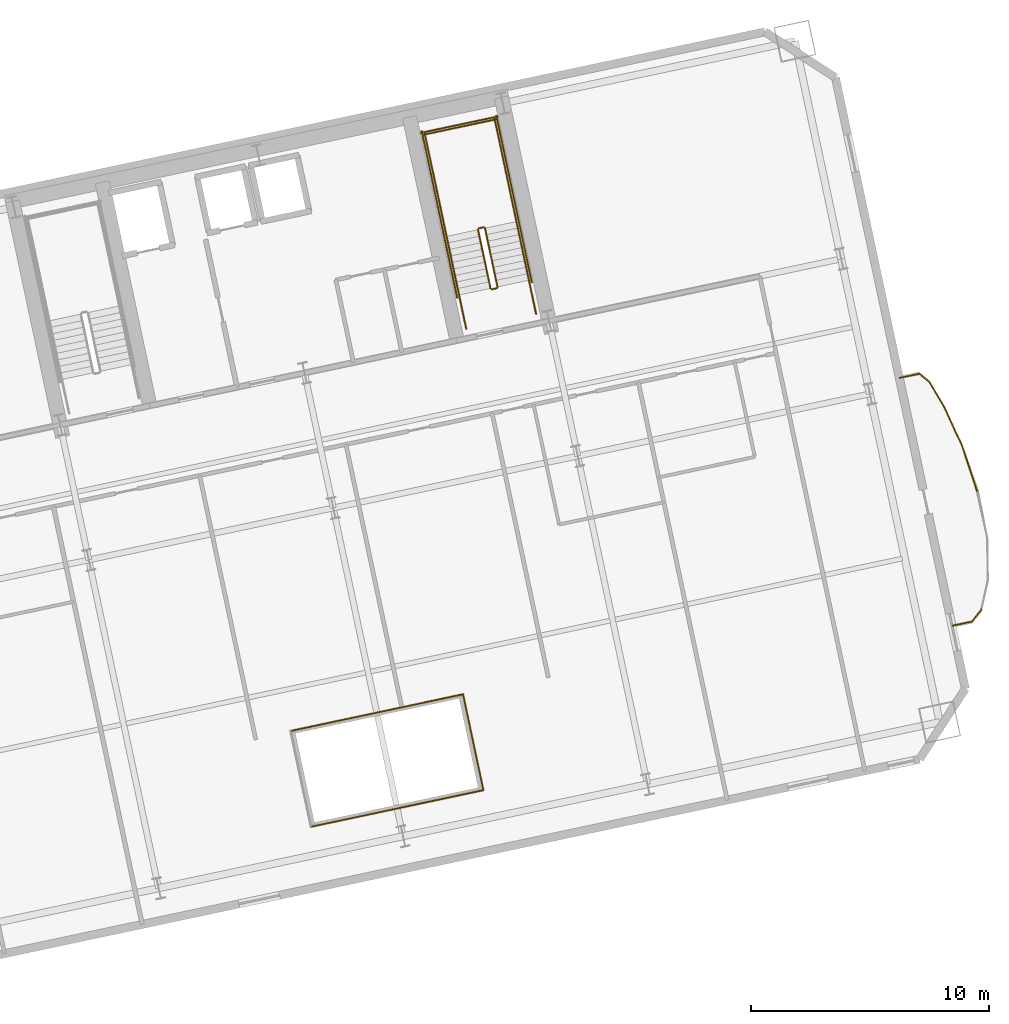
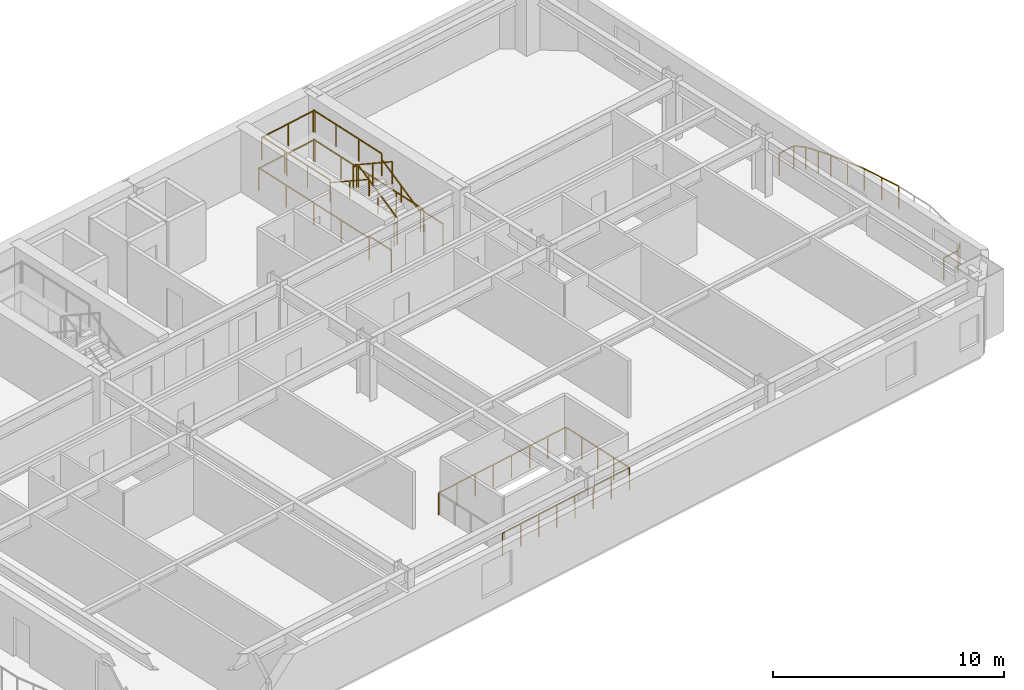
# One storey, part 15 of 16: 24 railings.
"""IFC4 building model written with IfcOpenShell, lengths in metres."""

from ifc_helpers import new_model, si_unit, direction, frame, origin, origin_2d, place, context, subcontext, project, spatial, rectangle, extrude, material, type_object, element, save


model = new_model("IFC4")

# Units and contexts
model_context = context("Model", 3, precision=1e-05, world=origin(), true_north=direction((0.0, 1.0)))
body_context = subcontext(model_context, "Body", "Model", "MODEL_VIEW")
ifc_project = project(units=[si_unit("LENGTHUNIT", "METRE"), si_unit("AREAUNIT", "SQUARE_METRE"), si_unit("VOLUMEUNIT", "CUBIC_METRE"), si_unit("PLANEANGLEUNIT", "RADIAN"), si_unit("MASSUNIT", "GRAM", prefix="KILO")], contexts=[model_context])

# Site, building, storey
site_placement = place(None, origin())
site = spatial("IfcSite", under=ifc_project, at=site_placement, CompositionType="ELEMENT")
building_placement = place(site_placement, origin())
building = spatial("IfcBuilding", under=site, at=building_placement, Name="Haevon Station Towers", CompositionType="ELEMENT")
storey_placement = place(building_placement, frame((0.0, 0.0, 53.699951171875)))
storey = spatial("IfcBuildingStorey", under=building, at=storey_placement, Name="L13", CompositionType="ELEMENT", Elevation=53.699951171875)

# Railings
ifc_material = material(Name="Steel S355", Category="steel")
railing_type_1 = type_object("IfcRailingType", Name="BAL-ATR1200", PredefinedType="BALUSTRADE", material=ifc_material)
railing_1_placement = place(storey_placement, frame((109.28857421875, 20.5556640625, 0.0)))
element("IfcRailing", 1, at=railing_1_placement, inside=storey, type_object=railing_type_1, Name="L13 Atrium Void Balustrade 1", PredefinedType="BALUSTRADE", context=body_context, shape_type="SweptSolid", body=[
    extrude(rectangle(XDim=0.048095703125, YDim=0.048095703125, at=origin_2d()), frame((0.0, 0.0, 1.17578125), z_axis=(0.978143440909, 0.207931260293, 0.0), x_axis=(-0.207931260293, 0.978143440909, 0.0)), (0.0, 0.0, 1.0), 7.409912109375),
    extrude(rectangle(XDim=0.0419921875, YDim=0.0419921875, at=origin_2d()), origin(), (0.0, 0.0, 1.0), 1.15185546875),
    extrude(rectangle(XDim=0.0419921875, YDim=0.0419921875, at=origin_2d()), frame((1.035400390625, 0.22021484375, 0.0)), (0.0, 0.0, 1.0), 1.15185546875),
    extrude(rectangle(XDim=0.0419921875, YDim=0.0419921875, at=origin_2d()), frame((2.07080078125, 0.440185546875, 0.0)), (0.0, 0.0, 1.0), 1.15185546875),
    extrude(rectangle(XDim=0.0419921875, YDim=0.0419921875, at=origin_2d()), frame((3.106201171875, 0.660400390625, 0.0)), (0.0, 0.0, 1.0), 1.15185546875),
    extrude(rectangle(XDim=0.0419921875, YDim=0.0419921875, at=origin_2d()), frame((4.141845703125, 0.88037109375, 0.0)), (0.0, 0.0, 1.0), 1.15185546875),
    extrude(rectangle(XDim=0.0419921875, YDim=0.0419921875, at=origin_2d()), frame((5.17724609375, 1.1005859375, 0.0)), (0.0, 0.0, 1.0), 1.15185546875),
    extrude(rectangle(XDim=0.0419921875, YDim=0.0419921875, at=origin_2d()), frame((6.212646484375, 1.320556640625, 0.0)), (0.0, 0.0, 1.0), 1.15185546875),
    extrude(rectangle(XDim=0.0419921875, YDim=0.0419921875, at=origin_2d()), frame((7.248046875, 1.540771484375, 0.0)), (0.0, 0.0, 1.0), 1.15185546875),
])
railing_2_placement = place(storey_placement, frame((116.53662109375, 22.096435546875, 0.0)))
element("IfcRailing", 2, at=railing_2_placement, inside=storey, type_object=railing_type_1, Name="L13 Atrium Void Balustrade 2", PredefinedType="BALUSTRADE", context=body_context, shape_type="SweptSolid", body=[
    extrude(rectangle(XDim=0.048095703125, YDim=0.048095703125, at=origin_2d()), frame((0.0, 0.0, 1.17578125), z_axis=(-0.207941039024, 0.97814136212, 0.0), x_axis=(-0.97814136212, -0.207941039024, 0.0)), (0.0, 0.0, 1.0), 4.116455078125),
    extrude(rectangle(XDim=0.0419921875, YDim=0.0419921875, at=origin_2d()), origin(), (0.0, 0.0, 1.0), 1.15185546875),
    extrude(rectangle(XDim=0.0419921875, YDim=0.0419921875, at=origin_2d()), frame((-0.2138671875, 1.006591796875, 0.0)), (0.0, 0.0, 1.0), 1.15185546875),
    extrude(rectangle(XDim=0.0419921875, YDim=0.0419921875, at=origin_2d()), frame((-0.427978515625, 2.01318359375, 0.0)), (0.0, 0.0, 1.0), 1.15185546875),
    extrude(rectangle(XDim=0.0419921875, YDim=0.0419921875, at=origin_2d()), frame((-0.64208984375, 3.019775390625, 0.0)), (0.0, 0.0, 1.0), 1.15185546875),
    extrude(rectangle(XDim=0.0419921875, YDim=0.0419921875, at=origin_2d()), frame((-0.85595703125, 4.0263671875, 0.0)), (0.0, 0.0, 1.0), 1.15185546875),
])
railing_3_placement = place(storey_placement, frame((115.6806640625, 26.122802734375, 0.0)))
element("IfcRailing", 3, at=railing_3_placement, inside=storey, type_object=railing_type_1, Name="L13 Atrium Void Balustrade 3", PredefinedType="BALUSTRADE", context=body_context, shape_type="SweptSolid", body=[
    extrude(rectangle(XDim=0.048095703125, YDim=0.048095703125, at=origin_2d()), frame((0.0, 0.0, 1.17578125), z_axis=(-0.978148717371, -0.207906437384, 0.0), x_axis=(0.207906437384, -0.978148717371, 0.0)), (0.0, 0.0, 1.0), 7.40966796875),
    extrude(rectangle(XDim=0.0419921875, YDim=0.0419921875, at=origin_2d()), origin(), (0.0, 0.0, 1.0), 1.15185546875),
    extrude(rectangle(XDim=0.0419921875, YDim=0.0419921875, at=origin_2d()), frame((-1.035400390625, -0.219970703125, 0.0)), (0.0, 0.0, 1.0), 1.15185546875),
    extrude(rectangle(XDim=0.0419921875, YDim=0.0419921875, at=origin_2d()), frame((-2.07080078125, -0.440185546875, 0.0)), (0.0, 0.0, 1.0), 1.15185546875),
    extrude(rectangle(XDim=0.0419921875, YDim=0.0419921875, at=origin_2d()), frame((-3.106201171875, -0.66015625, 0.0)), (0.0, 0.0, 1.0), 1.15185546875),
    extrude(rectangle(XDim=0.0419921875, YDim=0.0419921875, at=origin_2d()), frame((-4.1416015625, -0.88037109375, 0.0)), (0.0, 0.0, 1.0), 1.15185546875),
    extrude(rectangle(XDim=0.0419921875, YDim=0.0419921875, at=origin_2d()), frame((-5.177001953125, -1.100341796875, 0.0)), (0.0, 0.0, 1.0), 1.15185546875),
    extrude(rectangle(XDim=0.0419921875, YDim=0.0419921875, at=origin_2d()), frame((-6.21240234375, -1.320556640625, 0.0)), (0.0, 0.0, 1.0), 1.15185546875),
    extrude(rectangle(XDim=0.0419921875, YDim=0.0419921875, at=origin_2d()), frame((-7.247802734375, -1.54052734375, 0.0)), (0.0, 0.0, 1.0), 1.15185546875),
])
railing_type_2 = type_object("IfcRailingType", Name="GRD-EXT1200", PredefinedType="GUARDRAIL", material=ifc_material)
railing_4_placement = place(storey_placement, frame((136.249267578125, 29.0068359375, 0.0)))
element("IfcRailing", 4, at=railing_4_placement, inside=storey, type_object=railing_type_2, Name="L13 Perimeter Guardrail 1", PredefinedType="GUARDRAIL", context=body_context, shape_type="SweptSolid", body=[
    extrude(rectangle(XDim=0.048095703125, YDim=0.048095703125, at=origin_2d()), frame((0.0, 0.0, 1.17578125), z_axis=(0.97761867619, 0.210384704682, 0.0), x_axis=(-0.210384704682, 0.97761867619, 0.0)), (0.0, 0.0, 1.0), 0.837890625),
    extrude(rectangle(XDim=0.0419921875, YDim=0.0419921875, at=origin_2d()), origin(), (0.0, 0.0, 1.0), 1.15185546875),
    extrude(rectangle(XDim=0.0419921875, YDim=0.0419921875, at=origin_2d()), frame((0.819091796875, 0.17626953125, 0.0)), (0.0, 0.0, 1.0), 1.15185546875),
])
railing_5_placement = place(storey_placement, frame((137.068359375, 29.18310546875, 0.0)))
element("IfcRailing", 5, at=railing_5_placement, inside=storey, type_object=railing_type_2, Name="L13 Perimeter Guardrail 2", PredefinedType="GUARDRAIL", context=body_context, shape_type="SweptSolid", body=[
    extrude(rectangle(XDim=0.048095703125, YDim=0.048095703125, at=origin_2d()), frame((0.0, 0.0, 1.17578125), z_axis=(0.616287695395, 0.787521095911, 0.0), x_axis=(-0.787521095911, 0.616287695395, 0.0)), (0.0, 0.0, 1.0), 0.64013671875),
    extrude(rectangle(XDim=0.0419921875, YDim=0.0419921875, at=origin_2d()), origin(), (0.0, 0.0, 1.0), 1.15185546875),
    extrude(rectangle(XDim=0.0419921875, YDim=0.0419921875, at=origin_2d()), frame((0.39453125, 0.504150390625, 0.0)), (0.0, 0.0, 1.0), 1.15185546875),
])
railing_6_placement = place(storey_placement, frame((137.27587890625, 34.666259765625, 0.0)))
element("IfcRailing", 6, at=railing_6_placement, inside=storey, type_object=railing_type_2, Name="L13 Perimeter Guardrail 6", PredefinedType="GUARDRAIL", context=body_context, shape_type="SweptSolid", body=[
    extrude(rectangle(XDim=0.048095703125, YDim=0.048095703125, at=origin_2d()), frame((0.0, 0.0, 1.17578125), z_axis=(-0.313300498746, 0.949654040946, 0.0), x_axis=(-0.949654040946, -0.313300498746, 0.0)), (0.0, 0.0, 1.0), 2.002685546875),
    extrude(rectangle(XDim=0.0419921875, YDim=0.0419921875, at=origin_2d()), origin(), (0.0, 0.0, 1.0), 1.15185546875),
    extrude(rectangle(XDim=0.0419921875, YDim=0.0419921875, at=origin_2d()), frame((-0.313720703125, 0.950927734375, 0.0)), (0.0, 0.0, 1.0), 1.15185546875),
    extrude(rectangle(XDim=0.0419921875, YDim=0.0419921875, at=origin_2d()), frame((-0.62744140625, 1.90185546875, 0.0)), (0.0, 0.0, 1.0), 1.15185546875),
])
railing_7_placement = place(storey_placement, frame((136.6484375, 36.568115234375, 0.0)))
element("IfcRailing", 7, at=railing_7_placement, inside=storey, type_object=railing_type_2, Name="L13 Perimeter Guardrail 7", PredefinedType="GUARDRAIL", context=body_context, shape_type="SweptSolid", body=[
    extrude(rectangle(XDim=0.048095703125, YDim=0.048095703125, at=origin_2d()), frame((0.0, 0.0, 1.17578125), z_axis=(-0.417424139603, 0.908711773709, 0.0), x_axis=(-0.908711773709, -0.417424139603, 0.0)), (0.0, 0.0, 1.0), 1.79150390625),
    extrude(rectangle(XDim=0.0419921875, YDim=0.0419921875, at=origin_2d()), origin(), (0.0, 0.0, 1.0), 1.15185546875),
    extrude(rectangle(XDim=0.0419921875, YDim=0.0419921875, at=origin_2d()), frame((-0.3740234375, 0.81396484375, 0.0)), (0.0, 0.0, 1.0), 1.15185546875),
    extrude(rectangle(XDim=0.0419921875, YDim=0.0419921875, at=origin_2d()), frame((-0.747802734375, 1.6279296875, 0.0)), (0.0, 0.0, 1.0), 1.15185546875),
])
railing_8_placement = place(storey_placement, frame((135.900634765625, 38.196044921875, 0.0)))
element("IfcRailing", 8, at=railing_8_placement, inside=storey, type_object=railing_type_2, Name="L13 Perimeter Guardrail 8", PredefinedType="GUARDRAIL", context=body_context, shape_type="SweptSolid", body=[
    extrude(rectangle(XDim=0.048095703125, YDim=0.048095703125, at=origin_2d()), frame((0.0, 0.0, 1.17578125), z_axis=(-0.513886177927, 0.857858377668, 0.0), x_axis=(-0.857858377668, -0.513886177927, 0.0)), (0.0, 0.0, 1.0), 1.237060546875),
    extrude(rectangle(XDim=0.0419921875, YDim=0.0419921875, at=origin_2d()), origin(), (0.0, 0.0, 1.0), 1.15185546875),
    extrude(rectangle(XDim=0.0419921875, YDim=0.0419921875, at=origin_2d()), frame((-0.31787109375, 0.53076171875, 0.0)), (0.0, 0.0, 1.0), 1.15185546875),
    extrude(rectangle(XDim=0.0419921875, YDim=0.0419921875, at=origin_2d()), frame((-0.6357421875, 1.061279296875, 0.0)), (0.0, 0.0, 1.0), 1.15185546875),
])
railing_9_placement = place(storey_placement, frame((135.264892578125, 39.25732421875, 0.0)))
element("IfcRailing", 9, at=railing_9_placement, inside=storey, type_object=railing_type_2, Name="L13 Perimeter Guardrail 9", PredefinedType="GUARDRAIL", context=body_context, shape_type="SweptSolid", body=[
    extrude(rectangle(XDim=0.048095703125, YDim=0.048095703125, at=origin_2d()), frame((0.0, 0.0, 1.17578125), z_axis=(-0.774554795465, 0.632506813262, 0.0), x_axis=(-0.632506813262, -0.774554795465, 0.0)), (0.0, 0.0, 1.0), 0.527587890625),
    extrude(rectangle(XDim=0.0419921875, YDim=0.0419921875, at=origin_2d()), origin(), (0.0, 0.0, 1.0), 1.15185546875),
    extrude(rectangle(XDim=0.0419921875, YDim=0.0419921875, at=origin_2d()), frame((-0.40869140625, 0.333740234375, 0.0)), (0.0, 0.0, 1.0), 1.15185546875),
])
railing_10_placement = place(storey_placement, frame((134.856201171875, 39.591064453125, 0.0)))
element("IfcRailing", 10, at=railing_10_placement, inside=storey, type_object=railing_type_2, Name="L13 Perimeter Guardrail 10", PredefinedType="GUARDRAIL", context=body_context, shape_type="SweptSolid", body=[
    extrude(rectangle(XDim=0.048095703125, YDim=0.048095703125, at=origin_2d()), frame((0.0, 0.0, 1.17578125), z_axis=(-0.978617737227, -0.20568744343, 0.0), x_axis=(0.20568744343, -0.978617737227, 0.0)), (0.0, 0.0, 1.0), 0.837890625),
    extrude(rectangle(XDim=0.0419921875, YDim=0.0419921875, at=origin_2d()), origin(), (0.0, 0.0, 1.0), 1.15185546875),
    extrude(rectangle(XDim=0.0419921875, YDim=0.0419921875, at=origin_2d()), frame((-0.820068359375, -0.17236328125, 0.0)), (0.0, 0.0, 1.0), 1.15185546875),
])
railing_type_3 = type_object("IfcRailingType", Name="GRD-STR1200", PredefinedType="GUARDRAIL", material=ifc_material)
railing_11_placement = place(storey_placement, frame((117.128662109375, 43.23974609375, 0.1650390625)))
element("IfcRailing", 11, at=railing_11_placement, inside=storey, type_object=railing_type_3, Name="L13 ST4 Stair Guard 1", PredefinedType="GUARDRAIL", context=body_context, shape_type="SweptSolid", body=[
    extrude(rectangle(XDim=0.048095703125, YDim=0.048095703125, at=origin_2d()), frame((0.0, 0.0, 1.17578125), z_axis=(-0.179121265225, 0.842687928106, 0.507732831485), x_axis=(-0.978147030254, -0.207914374695, 0.0)), (0.0, 0.0, 1.0), 2.925048828125),
    extrude(rectangle(XDim=0.0419921875, YDim=0.0419921875, at=origin_2d()), origin(), (0.0, 0.0, 1.0), 1.15185546875),
    extrude(rectangle(XDim=0.0419921875, YDim=0.0419921875, at=origin_2d()), frame((-0.261962890625, 1.232421875, 0.74267578125)), (0.0, 0.0, 1.0), 1.15185546875),
    extrude(rectangle(XDim=0.0419921875, YDim=0.0419921875, at=origin_2d()), frame((-0.52392578125, 2.46484375, 1.485107421875)), (0.0, 0.0, 1.0), 1.15185546875),
])
railing_12_placement = place(storey_placement, frame((116.54541015625, 45.7431640625, 1.650146484375)))
element("IfcRailing", 12, at=railing_12_placement, inside=storey, type_object=railing_type_3, Name="L13 ST4 Stair Guard 2", PredefinedType="GUARDRAIL", context=body_context, shape_type="SweptSolid", body=[
    extrude(rectangle(XDim=0.048095703125, YDim=0.048095703125, at=origin_2d()), frame((0.0, 0.0, 1.17578125), z_axis=(-0.97826412705, -0.207362720198, 0.0), x_axis=(0.207362720198, -0.97826412705, 0.0)), (0.0, 0.0, 1.0), 0.2001953125),
    extrude(rectangle(XDim=0.0419921875, YDim=0.0419921875, at=origin_2d()), origin(), (0.0, 0.0, 1.0), 1.15185546875),
    extrude(rectangle(XDim=0.0419921875, YDim=0.0419921875, at=origin_2d()), frame((-0.19580078125, -0.04150390625, 0.0)), (0.0, 0.0, 1.0), 1.15185546875),
])
railing_13_placement = place(storey_placement, frame((117.925048828125, 45.9853515625, 1.650146484375)))
element("IfcRailing", 13, at=railing_13_placement, inside=storey, type_object=railing_type_3, Name="L13 ST4 Stair Guard 3", PredefinedType="GUARDRAIL", context=body_context, shape_type="SweptSolid", body=[
    extrude(rectangle(XDim=0.048095703125, YDim=0.048095703125, at=origin_2d()), frame((0.0, 0.0, 1.17578125), z_axis=(-0.207876551949, 0.978155069071, 0.0), x_axis=(-0.978155069071, -0.207876551949, 0.0)), (0.0, 0.0, 1.0), 4.429931640625),
    extrude(rectangle(XDim=0.0419921875, YDim=0.0419921875, at=origin_2d()), origin(), (0.0, 0.0, 1.0), 1.15185546875),
    extrude(rectangle(XDim=0.0419921875, YDim=0.0419921875, at=origin_2d()), frame((-0.306884765625, 1.4443359375, 0.0)), (0.0, 0.0, 1.0), 1.15185546875),
    extrude(rectangle(XDim=0.0419921875, YDim=0.0419921875, at=origin_2d()), frame((-0.614013671875, 2.888916015625, 0.0)), (0.0, 0.0, 1.0), 1.15185546875),
    extrude(rectangle(XDim=0.0419921875, YDim=0.0419921875, at=origin_2d()), frame((-0.9208984375, 4.333251953125, 0.0)), (0.0, 0.0, 1.0), 1.15185546875),
])
railing_14_placement = place(storey_placement, frame((114.99072265625, 45.361572265625, 1.650146484375)))
element("IfcRailing", 14, at=railing_14_placement, inside=storey, type_object=railing_type_3, Name="L13 ST4 Stair Guard 4", PredefinedType="GUARDRAIL", context=body_context, shape_type="SweptSolid", body=[
    extrude(rectangle(XDim=0.048095703125, YDim=0.048095703125, at=origin_2d()), frame((0.0, 0.0, 1.17578125), z_axis=(-0.207929280007, 0.978143861871, 0.0), x_axis=(-0.978143861871, -0.207929280007, 0.0)), (0.0, 0.0, 1.0), 4.43017578125),
    extrude(rectangle(XDim=0.0419921875, YDim=0.0419921875, at=origin_2d()), origin(), (0.0, 0.0, 1.0), 1.15185546875),
    extrude(rectangle(XDim=0.0419921875, YDim=0.0419921875, at=origin_2d()), frame((-0.30712890625, 1.4443359375, 0.0)), (0.0, 0.0, 1.0), 1.15185546875),
    extrude(rectangle(XDim=0.0419921875, YDim=0.0419921875, at=origin_2d()), frame((-0.614013671875, 2.888916015625, 0.0)), (0.0, 0.0, 1.0), 1.15185546875),
    extrude(rectangle(XDim=0.0419921875, YDim=0.0419921875, at=origin_2d()), frame((-0.921142578125, 4.333251953125, 0.0)), (0.0, 0.0, 1.0), 1.15185546875),
])
railing_15_placement = place(storey_placement, frame((117.0634765625, 50.280029296875, 1.650146484375)))
element("IfcRailing", 15, at=railing_15_placement, inside=storey, type_object=railing_type_3, Name="L13 ST4 Stair Guard 5", PredefinedType="GUARDRAIL", context=body_context, shape_type="SweptSolid", body=[
    extrude(rectangle(XDim=0.048095703125, YDim=0.048095703125, at=origin_2d()), frame((0.0, 0.0, 1.17578125), z_axis=(-0.978146839882, -0.207915270313, 0.0), x_axis=(0.207915270313, -0.978146839882, 0.0)), (0.0, 0.0, 1.0), 3.099853515625),
    extrude(rectangle(XDim=0.0419921875, YDim=0.0419921875, at=origin_2d()), origin(), (0.0, 0.0, 1.0), 1.15185546875),
    extrude(rectangle(XDim=0.0419921875, YDim=0.0419921875, at=origin_2d()), frame((-1.51611328125, -0.322265625, 0.0)), (0.0, 0.0, 1.0), 1.15185546875),
    extrude(rectangle(XDim=0.0419921875, YDim=0.0419921875, at=origin_2d()), frame((-3.0322265625, -0.64453125, 0.0)), (0.0, 0.0, 1.0), 1.15185546875),
])
railing_16_placement = place(storey_placement, frame((116.311279296875, 45.642333984375, 1.81494140625)))
element("IfcRailing", 16, at=railing_16_placement, inside=storey, type_object=railing_type_3, Name="L13 ST4 Stair Guard 6", PredefinedType="GUARDRAIL", context=body_context, shape_type="SweptSolid", body=[
    extrude(rectangle(XDim=0.048095703125, YDim=0.048095703125, at=origin_2d()), frame((0.0, 0.0, 1.17578125), z_axis=(0.179108667068, -0.842712120868, 0.50769712105), x_axis=(0.978151217824, 0.207894673017, 0.0)), (0.0, 0.0, 1.0), 2.92529296875),
    extrude(rectangle(XDim=0.0419921875, YDim=0.0419921875, at=origin_2d()), origin(), (0.0, 0.0, 1.0), 1.15185546875),
    extrude(rectangle(XDim=0.0419921875, YDim=0.0419921875, at=origin_2d()), frame((0.261962890625, -1.232421875, 0.74267578125)), (0.0, 0.0, 1.0), 1.15185546875),
    extrude(rectangle(XDim=0.0419921875, YDim=0.0419921875, at=origin_2d()), frame((0.52392578125, -2.465087890625, 1.485107421875)), (0.0, 0.0, 1.0), 1.15185546875),
])
railing_17_placement = place(storey_placement, frame((117.090087890625, 43.180419921875, 0.0)))
element("IfcRailing", 17, at=railing_17_placement, inside=storey, type_object=railing_type_3, Name="L13 ST4 Stair Guard 7", PredefinedType="GUARDRAIL", context=body_context, shape_type="SweptSolid", body=[
    extrude(rectangle(XDim=0.048095703125, YDim=0.048095703125, at=origin_2d()), frame((0.0, 0.0, 1.17578125), z_axis=(-0.978211583308, -0.207610448392, 0.0), x_axis=(0.207610448392, -0.978211583308, 0.0)), (0.0, 0.0, 1.0), 0.199951171875),
    extrude(rectangle(XDim=0.0419921875, YDim=0.0419921875, at=origin_2d()), origin(), (0.0, 0.0, 1.0), 1.15185546875),
    extrude(rectangle(XDim=0.0419921875, YDim=0.0419921875, at=origin_2d()), frame((-0.195556640625, -0.04150390625, 0.0)), (0.0, 0.0, 1.0), 1.15185546875),
])
for number, where, name in (
    (18, (118.75048828125, 42.10205078125, 0.0), "L13 ST4 Stair Guard 8"),
    (19, (115.816162109375, 41.478271484375, 0.0), "L13 ST4 Stair Guard 9"),
):
    element("IfcRailing", number, at=place(storey_placement, frame(where)), inside=storey, type_object=railing_type_3, Name=name, PredefinedType="GUARDRAIL", context=body_context, shape_type="SweptSolid", body=[
        extrude(rectangle(XDim=0.048095703125, YDim=0.048095703125, at=origin_2d()), frame((0.0, 0.0, 1.17578125), z_axis=(-0.207919161079, 0.978146012851, 0.0), x_axis=(-0.978146012851, -0.207919161079, 0.0)), (0.0, 0.0, 1.0), 1.4501953125),
        extrude(rectangle(XDim=0.0419921875, YDim=0.0419921875, at=origin_2d()), origin(), (0.0, 0.0, 1.0), 1.15185546875),
        extrude(rectangle(XDim=0.0419921875, YDim=0.0419921875, at=origin_2d()), frame((-0.301513671875, 1.41845703125, 0.0)), (0.0, 0.0, 1.0), 1.15185546875),
    ])
railing_18_placement = place(storey_placement, frame((118.567626953125, 43.443359375, 0.0)))
element("IfcRailing", 20, at=railing_18_placement, inside=storey, type_object=railing_type_3, Name="L13 ST4 Stair Guard 10", PredefinedType="GUARDRAIL", context=body_context, shape_type="SweptSolid", body=[
    extrude(rectangle(XDim=0.048095703125, YDim=0.048095703125, at=origin_2d()), frame((0.0, 0.0, 1.17578125), z_axis=(-0.207908168386, 0.978148349443, 0.0), x_axis=(-0.978148349443, -0.207908168386, 0.0)), (0.0, 0.0, 1.0), 7.150146484375),
    extrude(rectangle(XDim=0.0419921875, YDim=0.0419921875, at=origin_2d()), origin(), (0.0, 0.0, 1.0), 1.15185546875),
    extrude(rectangle(XDim=0.0419921875, YDim=0.0419921875, at=origin_2d()), frame((-0.37158203125, 1.74853515625, 0.0)), (0.0, 0.0, 1.0), 1.15185546875),
    extrude(rectangle(XDim=0.0419921875, YDim=0.0419921875, at=origin_2d()), frame((-0.7431640625, 3.4970703125, 0.0)), (0.0, 0.0, 1.0), 1.15185546875),
    extrude(rectangle(XDim=0.0419921875, YDim=0.0419921875, at=origin_2d()), frame((-1.114990234375, 5.245361328125, 0.0)), (0.0, 0.0, 1.0), 1.15185546875),
    extrude(rectangle(XDim=0.0419921875, YDim=0.0419921875, at=origin_2d()), frame((-1.486572265625, 6.993896484375, 0.0)), (0.0, 0.0, 1.0), 1.15185546875),
])
railing_19_placement = place(storey_placement, frame((115.4375, 42.778076171875, 0.0)))
element("IfcRailing", 21, at=railing_19_placement, inside=storey, type_object=railing_type_3, Name="L13 ST4 Stair Guard 11", PredefinedType="GUARDRAIL", context=body_context, shape_type="SweptSolid", body=[
    extrude(rectangle(XDim=0.048095703125, YDim=0.048095703125, at=origin_2d()), frame((0.0, 0.0, 1.17578125), z_axis=(-0.207882442208, 0.978153817261, 0.0), x_axis=(-0.978153817261, -0.207882442208, 0.0)), (0.0, 0.0, 1.0), 7.14990234375),
    extrude(rectangle(XDim=0.0419921875, YDim=0.0419921875, at=origin_2d()), origin(), (0.0, 0.0, 1.0), 1.15185546875),
    extrude(rectangle(XDim=0.0419921875, YDim=0.0419921875, at=origin_2d()), frame((-0.37158203125, 1.74853515625, 0.0)), (0.0, 0.0, 1.0), 1.15185546875),
    extrude(rectangle(XDim=0.0419921875, YDim=0.0419921875, at=origin_2d()), frame((-0.7431640625, 3.496826171875, 0.0)), (0.0, 0.0, 1.0), 1.15185546875),
    extrude(rectangle(XDim=0.0419921875, YDim=0.0419921875, at=origin_2d()), frame((-1.11474609375, 5.2451171875, 0.0)), (0.0, 0.0, 1.0), 1.15185546875),
    extrude(rectangle(XDim=0.0419921875, YDim=0.0419921875, at=origin_2d()), frame((-1.486328125, 6.99365234375, 0.0)), (0.0, 0.0, 1.0), 1.15185546875),
])
railing_20_placement = place(storey_placement, frame((117.140380859375, 50.398681640625, 0.0)))
element("IfcRailing", 22, at=railing_20_placement, inside=storey, type_object=railing_type_3, Name="L13 ST4 Stair Guard 12", PredefinedType="GUARDRAIL", context=body_context, shape_type="SweptSolid", body=[
    extrude(rectangle(XDim=0.048095703125, YDim=0.048095703125, at=origin_2d()), frame((0.0, 0.0, 1.17578125), z_axis=(-0.978135717418, -0.207967589567, 0.0), x_axis=(0.207967589567, -0.978135717418, 0.0)), (0.0, 0.0, 1.0), 3.300048828125),
    extrude(rectangle(XDim=0.0419921875, YDim=0.0419921875, at=origin_2d()), origin(), (0.0, 0.0, 1.0), 1.15185546875),
    extrude(rectangle(XDim=0.0419921875, YDim=0.0419921875, at=origin_2d()), frame((-1.61376953125, -0.34326171875, 0.0)), (0.0, 0.0, 1.0), 1.15185546875),
    extrude(rectangle(XDim=0.0419921875, YDim=0.0419921875, at=origin_2d()), frame((-3.227783203125, -0.686279296875, 0.0)), (0.0, 0.0, 1.0), 1.15185546875),
])
railing_type_4 = type_object("IfcRailingType", Name="HND-STR900", PredefinedType="HANDRAIL", material=ifc_material)
railing_21_placement = place(storey_placement, frame((118.448974609375, 43.5205078125, 0.1650390625)))
element("IfcRailing", 23, at=railing_21_placement, inside=storey, type_object=railing_type_4, Name="L13 ST4 Stair Handrail 1", PredefinedType="HANDRAIL", context=body_context, shape_type="SweptSolid", body=[
    extrude(rectangle(XDim=0.048095703125, YDim=0.048095703125, at=origin_2d()), frame((0.0, 0.0, 0.8759765625), z_axis=(-0.179121265225, 0.842687928106, 0.507732831485), x_axis=(-0.978147030254, -0.207914374695, 0.0)), (0.0, 0.0, 1.0), 2.925048828125),
    extrude(rectangle(XDim=0.0419921875, YDim=0.0419921875, at=origin_2d()), origin(), (0.0, 0.0, 1.0), 0.851806640625),
    extrude(rectangle(XDim=0.0419921875, YDim=0.0419921875, at=origin_2d()), frame((-0.261962890625, 1.232421875, 0.74267578125)), (0.0, 0.0, 1.0), 0.851806640625),
    extrude(rectangle(XDim=0.0419921875, YDim=0.0419921875, at=origin_2d()), frame((-0.52392578125, 2.46484375, 1.485107421875)), (0.0, 0.0, 1.0), 0.851806640625),
])
railing_22_placement = place(storey_placement, frame((114.99072265625, 45.361572265625, 1.81494140625)))
element("IfcRailing", 24, at=railing_22_placement, inside=storey, type_object=railing_type_4, Name="L13 ST4 Stair Handrail 2", PredefinedType="HANDRAIL", context=body_context, shape_type="SweptSolid", body=[
    extrude(rectangle(XDim=0.048095703125, YDim=0.048095703125, at=origin_2d()), frame((0.0, 0.0, 0.8759765625), z_axis=(0.179121265225, -0.842687928106, 0.507732831485), x_axis=(0.978147030254, 0.207914374695, 0.0)), (0.0, 0.0, 1.0), 2.925048828125),
    extrude(rectangle(XDim=0.0419921875, YDim=0.0419921875, at=origin_2d()), origin(), (0.0, 0.0, 1.0), 0.851806640625),
    extrude(rectangle(XDim=0.0419921875, YDim=0.0419921875, at=origin_2d()), frame((0.261962890625, -1.232421875, 0.74267578125)), (0.0, 0.0, 1.0), 0.851806640625),
    extrude(rectangle(XDim=0.0419921875, YDim=0.0419921875, at=origin_2d()), frame((0.52392578125, -2.46484375, 1.485107421875)), (0.0, 0.0, 1.0), 0.851806640625),
])

save(model, "model.ifc")
